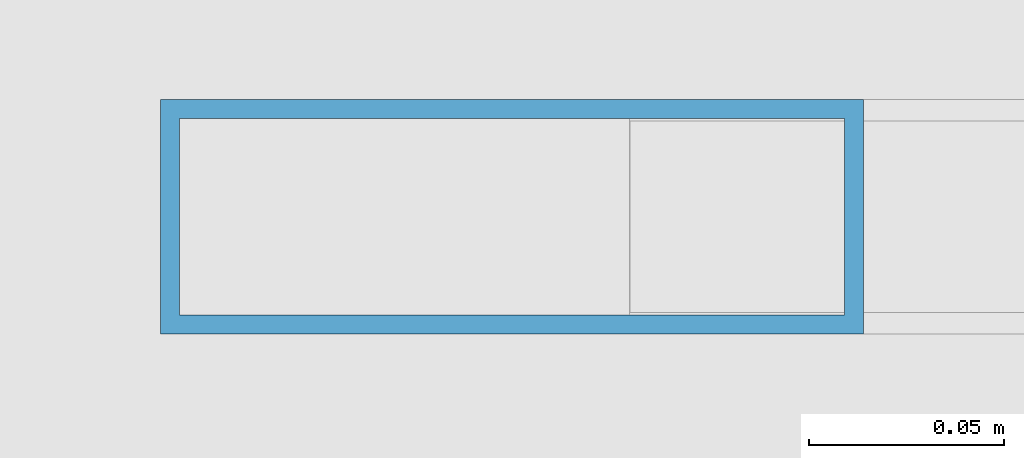
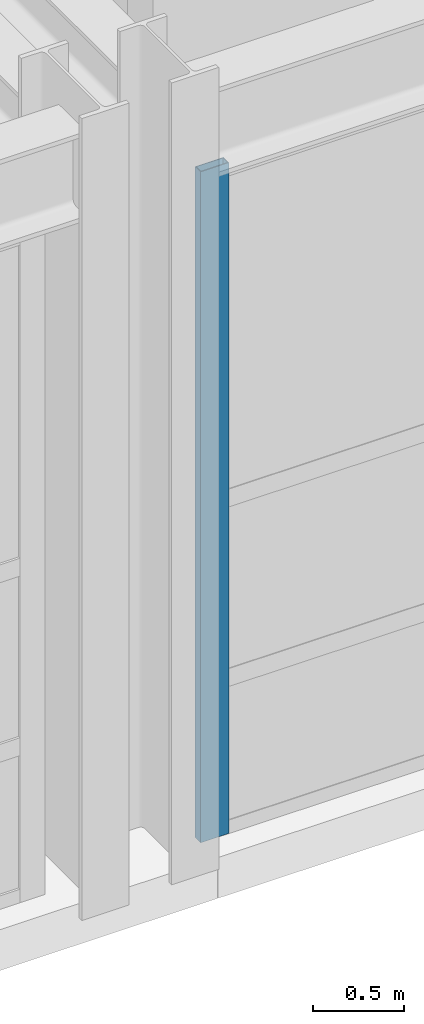
# One storey, part 65 of 210: 1 member, 1 element without a shape of its own.
"""IFC4 building model written with IfcOpenShell, lengths in metres."""

from ifc_helpers import new_model, si_unit, direction, frame, origin, origin_2d, place, context, subcontext, project, spatial, hollow_rectangle, extrude, material, material_profile, profile_set, type_object, element, aggregate, save


model = new_model("IFC4")

# Units and contexts
model_context = context("Model", 3, precision=1e-05, world=origin(), true_north=direction((0.0, 1.0)))
body_context = subcontext(model_context, "Body", "Model", "MODEL_VIEW")
ifc_project = project(units=[si_unit("LENGTHUNIT", "METRE"), si_unit("AREAUNIT", "SQUARE_METRE"), si_unit("VOLUMEUNIT", "CUBIC_METRE"), si_unit("PLANEANGLEUNIT", "RADIAN"), si_unit("MASSUNIT", "GRAM", prefix="KILO")], contexts=[model_context])

# Site, building, storey
site_placement = place(None, origin())
site = spatial("IfcSite", under=ifc_project, at=site_placement, CompositionType="ELEMENT")
building_placement = place(site_placement, origin())
building = spatial("IfcBuilding", under=site, at=building_placement, Name="Kaldris Quays Convention Centre", CompositionType="ELEMENT")
storey_placement = place(building_placement, frame((0.0, 0.0, 6.0)))
storey = spatial("IfcBuildingStorey", under=building, at=storey_placement, Name="L01", CompositionType="ELEMENT", Elevation=6.0)

# Curtain wall, member
ifc_material_1 = material(Name="Anodized aluminium AW-6060 and triple glazing", Category="aluminium")
curtain_wall_type = type_object("IfcCurtainWallType", Name="UNITISED CURTAIN WALL CW05", PredefinedType="NOTDEFINED", material=ifc_material_1)
curtain_wall_placement = place(storey_placement, origin())
curtain_wall = element("IfcCurtainWall", 1, at=curtain_wall_placement, inside=storey, type_object=curtain_wall_type, Name="L01 Unitised Curtain Wall CW05 141", PredefinedType="NOTDEFINED")
ifc_material_2 = material(Name="Anodized aluminium AW-6060", Category="aluminium")
ifc_material_profile = material_profile(ifc_material_2, hollow_rectangle(XDim=0.06005859375, YDim=0.179931640625, WallThickness=0.0048828125, at=origin_2d()), Name="RHS 180x60x5")
ifc_profile_set = profile_set([ifc_material_profile], Name="Anodized aluminium AW-6060")
member_type = type_object("IfcMemberType", Name="CURTAIN MULLION CWM2", PredefinedType="MULLION", material=ifc_profile_set)
member_placement = place(storey_placement, frame((146.8798828125, 38.0, 0.0), z_axis=(0.0, 0.0, 1.0), x_axis=(0.0, 1.0, 0.0)))
member = element("IfcMember", 2, at=member_placement, type_object=member_type, Name="CW05 mullion 1", PredefinedType="MULLION", context=body_context, shape_type="SweptSolid", body=[
    extrude(hollow_rectangle(XDim=0.06005859375, YDim=0.179931640625, WallThickness=0.0048828125, at=origin_2d()), origin(), (0.0, 0.0, 1.0), 4.51806640625),
])
aggregate(curtain_wall, [member])

save(model, "model.ifc")
